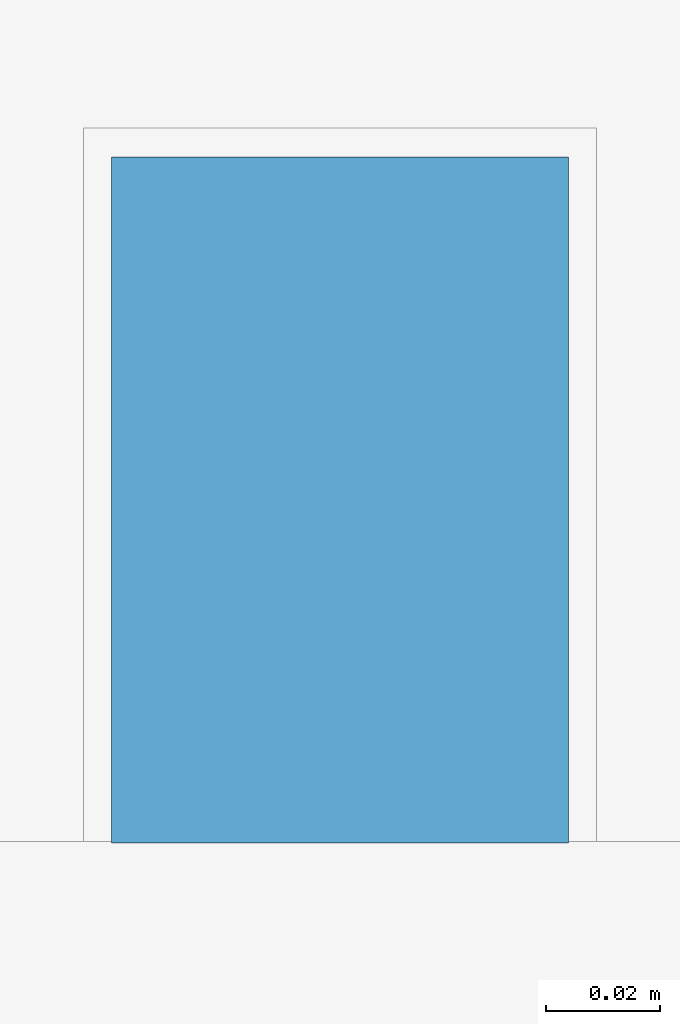
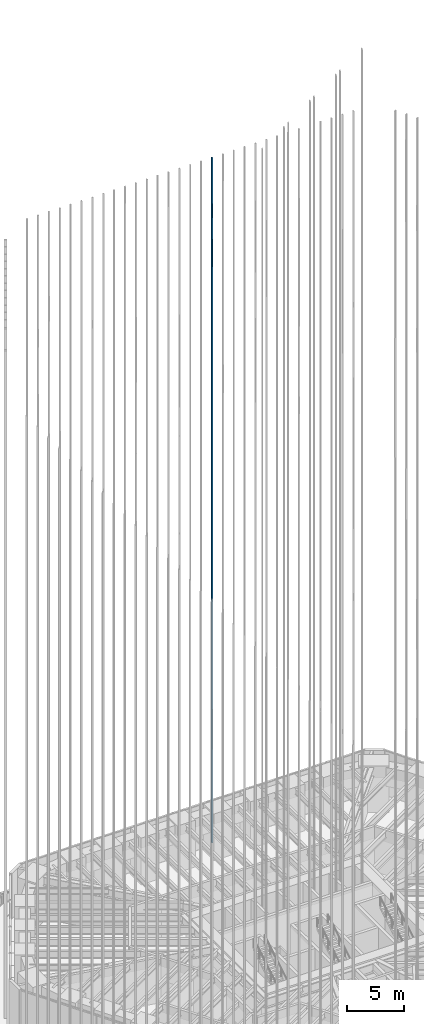
# One storey, part 176 of 228: 1 member, 1 element without a shape of its own.
"""IFC4 building model written with IfcOpenShell, lengths in metres."""

from ifc_helpers import new_model, si_unit, direction, frame, origin, origin_2d, place, context, subcontext, project, spatial, rectangle, extrude, material, material_profile, profile_set, type_object, element, aggregate, save


model = new_model("IFC4")

# Units and contexts
model_context = context("Model", 3, precision=1e-05, world=origin(), true_north=direction((0.0, 1.0)))
body_context = subcontext(model_context, "Body", "Model", "MODEL_VIEW")
ifc_project = project(units=[si_unit("LENGTHUNIT", "METRE"), si_unit("AREAUNIT", "SQUARE_METRE"), si_unit("VOLUMEUNIT", "CUBIC_METRE"), si_unit("PLANEANGLEUNIT", "RADIAN"), si_unit("MASSUNIT", "GRAM", prefix="KILO")], contexts=[model_context])

# Site, building, storey
site_placement = place(None, origin())
site = spatial("IfcSite", under=ifc_project, at=site_placement, CompositionType="ELEMENT")
building_placement = place(site_placement, origin())
building = spatial("IfcBuilding", under=site, at=building_placement, Name="Sandreach Pilgrim Tower", CompositionType="ELEMENT")
storey_placement = place(building_placement, frame((0.0, 0.0, 178.199951171875)))
storey = spatial("IfcBuildingStorey", under=building, at=storey_placement, Name="L44", CompositionType="ELEMENT", Elevation=178.199951171875)

# Curtain wall, member
ifc_material_1 = material(Name="Aluminium framed curtain wall", Category="aluminium")
curtain_wall_type = type_object("IfcCurtainWallType", Name="Upper hotel tower curtain wall", PredefinedType="NOTDEFINED", material=ifc_material_1)
curtain_wall_placement = place(storey_placement, origin())
curtain_wall = element("IfcCurtainWall", 1, at=curtain_wall_placement, inside=storey, type_object=curtain_wall_type, Name="CW-3 L44 N", PredefinedType="NOTDEFINED")
ifc_material_2 = material(Name="Extruded terracotta on aluminium core", Category="masonry")
ifc_material_profile = material_profile(ifc_material_2, rectangle(XDim=0.080078125, YDim=0.1201171875, at=origin_2d()), Name="TBN 80X120")
ifc_profile_set = profile_set([ifc_material_profile], Name="Extruded terracotta on aluminium core")
member_type = type_object("IfcMemberType", Name="Terracotta baguette north", PredefinedType="USERDEFINED", material=ifc_profile_set)
member_placement = place(storey_placement, frame((2.19970703125, 21.52001953125, 0.0), z_axis=(0.0, 0.0, 1.0), x_axis=(1.0, 0.0, 0.0)))
member = element("IfcMember", 2, at=member_placement, type_object=member_type, Name="Baguette Z3 N18", ObjectType="BAGUETTE", PredefinedType="USERDEFINED", context=body_context, shape_type="SweptSolid", body=[
    extrude(rectangle(XDim=0.080078125, YDim=0.1201171875, at=origin_2d()), origin(), (0.0, 0.0, 1.0), 73.239990234375),
])
aggregate(curtain_wall, [member])

save(model, "model.ifc")
